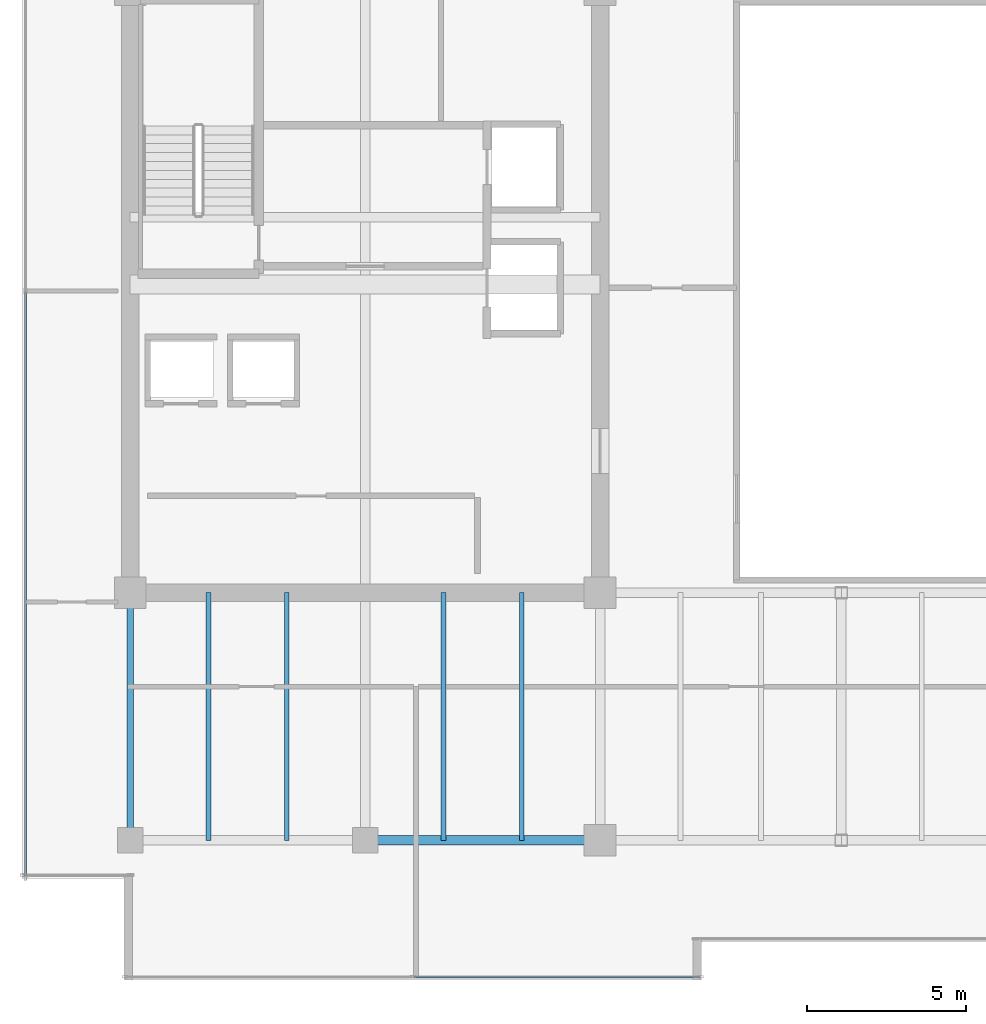
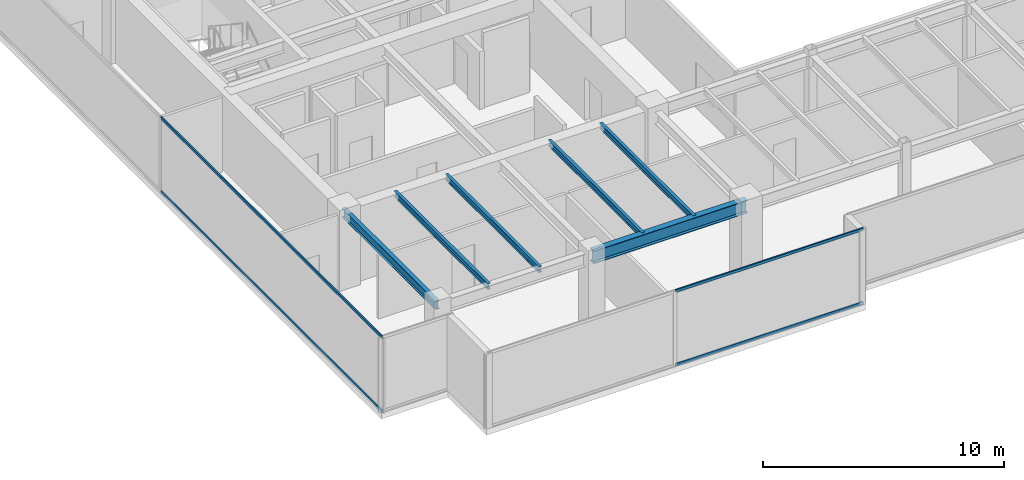
# One storey, part 6 of 33: 6 beams, 4 members, 2 elements without a shape of their own.
"""IFC4 building model written with IfcOpenShell, lengths in metres."""

from ifc_helpers import new_model, si_unit, direction, frame, origin, origin_2d, place, context, subcontext, project, spatial, hollow_rectangle, i_section, extrude, source, transform, mapped, material, layer, layer_set, material_profile, profile_set, type_object, type_shapes, element, aggregate, save


model = new_model("IFC4")

# Units and contexts
model_context = context("Model", 3, precision=1e-05, world=origin(), true_north=direction((0.0, 1.0)))
body_context = subcontext(model_context, "Body", "Model", "MODEL_VIEW")
ifc_project = project(units=[si_unit("LENGTHUNIT", "METRE"), si_unit("AREAUNIT", "SQUARE_METRE"), si_unit("VOLUMEUNIT", "CUBIC_METRE"), si_unit("PLANEANGLEUNIT", "RADIAN"), si_unit("MASSUNIT", "GRAM", prefix="KILO")], contexts=[model_context])

# Site, building, storey
site_placement = place(None, origin())
site = spatial("IfcSite", under=ifc_project, at=site_placement, CompositionType="ELEMENT")
building_placement = place(site_placement, origin())
building = spatial("IfcBuilding", under=site, at=building_placement, Name="Haelvirn Gate Laboratories", CompositionType="ELEMENT")
storey_placement = place(building_placement, frame((0.0, 0.0, 217.800048828125)))
storey = spatial("IfcBuildingStorey", under=building, at=storey_placement, Name="L52", CompositionType="ELEMENT", Elevation=217.800048828125)

# Beams
ifc_material_1 = material(Name="Steel SM355", Category="steel")
ifc_material_profile_1 = material_profile(ifc_material_1, i_section(OverallWidth=0.14990234375, OverallDepth=0.300048828125, WebThickness=0.006591796875, FlangeThickness=0.009033203125, at=origin_2d()), Name="H-300x150x6.5x9")
ifc_profile_set_1 = profile_set([ifc_material_profile_1], Name="Steel SM355")
beam_type_1 = type_object("IfcBeamType", Name="BM-J-300", PredefinedType="JOIST", material=ifc_profile_set_1)
shared_shape_1 = source(origin(), body_context, "Body", "SweptSolid", [
    extrude(i_section(OverallWidth=0.14990234375, OverallDepth=0.300048828125, WebThickness=0.006591796875, FlangeThickness=0.009033203125, at=origin_2d()), origin(), (0.0, 0.0, 1.0), 7.800048828125),
])
type_shapes(beam_type_1, [shared_shape_1])
for number, where, z_axis, x_axis, name in (
    (1, (9.8701171875, 7.0, 3.64990234375), (0.0, 1.0, 0.0), (-1.0, 0.0, 0.0), "L52 Composite Lab Joist South X9.87"),
    (2, (12.330078125, 7.0, 3.64990234375), (0.0, 1.0, 0.0), (-1.0, 0.0, 0.0), "L52 Composite Lab Joist South X12.33"),
    (3, (17.27001953125, 7.0, 3.64990234375), (0.0, 1.0, 0.0), (-1.0, 0.0, 0.0), "L52 Composite Lab Joist South X17.27"),
    (4, (19.72998046875, 7.0, 3.64990234375), (0.0, 1.0, 0.0), (-1.0, 0.0, 0.0), "L52 Composite Lab Joist South X19.73"),
):
    element("IfcBeam", number, at=place(storey_placement, frame(where, z_axis=z_axis, x_axis=x_axis)), inside=storey, type_object=beam_type_1, Name=name, PredefinedType="JOIST", context=body_context, shape_type="MappedRepresentation", body=[
        mapped(shared_shape_1, transform((0.0, 0.0, 0.0), scale=1.0)),
    ])
ifc_material_profile_2 = material_profile(ifc_material_1, i_section(OverallWidth=0.300048828125, OverallDepth=0.64990234375, WebThickness=0.012939453125, FlangeThickness=0.02197265625, at=origin_2d()), Name="H-650x300x13x22")
ifc_profile_set_2 = profile_set([ifc_material_profile_2], Name="Steel SM355")
beam_type_2 = type_object("IfcBeamType", Name="BM-G-650", PredefinedType="BEAM", material=ifc_profile_set_2)
shared_shape_2 = source(origin(), body_context, "Body", "SweptSolid", [
    extrude(i_section(OverallWidth=0.300048828125, OverallDepth=0.64990234375, WebThickness=0.012939453125, FlangeThickness=0.02197265625, at=origin_2d()), origin(), (0.0, 0.0, 1.0), 7.39990234375),
])
type_shapes(beam_type_2, [shared_shape_2])
beam_1_placement = place(storey_placement, frame((14.800048828125, 7.0, 3.474853515625), z_axis=(1.0, 0.0, 0.0), x_axis=(0.0, 1.0, 0.0)))
element("IfcBeam", 5, at=beam_1_placement, inside=storey, type_object=beam_type_2, Name="L52 Primary Girder Y7.0 (14.8-22.2)", PredefinedType="BEAM", context=body_context, shape_type="MappedRepresentation", body=[
    mapped(shared_shape_2, transform((0.0, 0.0, 0.0), scale=1.0)),
])
ifc_material_profile_3 = material_profile(ifc_material_1, i_section(OverallWidth=0.199951171875, OverallDepth=0.449951171875, WebThickness=0.009033203125, FlangeThickness=0.013916015625, at=origin_2d()), Name="H-450x200x9x14")
ifc_profile_set_3 = profile_set([ifc_material_profile_3], Name="Steel SM355")
beam_type_3 = type_object("IfcBeamType", Name="BM-SP-450", PredefinedType="SPANDREL", material=ifc_profile_set_3)
shared_shape_3 = source(origin(), body_context, "Body", "SweptSolid", [
    extrude(i_section(OverallWidth=0.199951171875, OverallDepth=0.449951171875, WebThickness=0.009033203125, FlangeThickness=0.013916015625, at=origin_2d()), origin(), (0.0, 0.0, 1.0), 7.800048828125),
])
type_shapes(beam_type_3, [shared_shape_3])
beam_2_placement = place(storey_placement, frame((7.39990234375, 7.0, 3.574951171875), z_axis=(0.0, 1.0, 0.0), x_axis=(-1.0, 0.0, 0.0)))
element("IfcBeam", 6, at=beam_2_placement, inside=storey, type_object=beam_type_3, Name="L52 Perimeter Spandrel X7.4 (7.0-14.8)", PredefinedType="SPANDREL", context=body_context, shape_type="MappedRepresentation", body=[
    mapped(shared_shape_3, transform((0.0, 0.0, 0.0), scale=1.0)),
])

# Curtain wall, members
ifc_material_2 = material(Name="Anodised bronze unitised aluminium & triple low-E glass", Category="aluminium")
ifc_layer = layer(ifc_material_2, 0.176025390625, Name="CW-SYS-4")
ifc_layer_set = layer_set([ifc_layer], Name="Anodised bronze unitised aluminium & triple low-E glass")
curtain_wall_type = type_object("IfcCurtainWallType", Name="CW-SYS-4", PredefinedType="NOTDEFINED", material=ifc_layer_set)
curtain_wall_1_placement = place(storey_placement, origin())
curtain_wall_1 = element("IfcCurtainWall", 7, at=curtain_wall_1_placement, inside=storey, type_object=curtain_wall_type, Name="L52 Unitised Curtain Wall CW-L52-P0-E00-1", PredefinedType="NOTDEFINED")
ifc_material_3 = material(Name="Extruded aluminium 6063-T6 (anodised bronze)", Category="aluminium")
ifc_material_profile_4 = material_profile(ifc_material_3, hollow_rectangle(XDim=0.06494140625, YDim=0.139892578125, WallThickness=0.00390625, at=origin_2d()), Name="CWT-140x65x4")
ifc_profile_set_4 = profile_set([ifc_material_profile_4], Name="Extruded aluminium 6063-T6 (anodised bronze)")
member_type = type_object("IfcMemberType", Name="CWT-T140", PredefinedType="USERDEFINED", material=ifc_profile_set_4)
shared_shape_4 = source(origin(), body_context, "Body", "SweptSolid", [
    extrude(hollow_rectangle(XDim=0.06494140625, YDim=0.139892578125, WallThickness=0.00390625, at=origin_2d()), origin(), (0.0, 0.0, 1.0), 8.9951171875),
])
member_1_placement = place(storey_placement, frame((16.3349609375, 2.699951171875, 0.032470703125), z_axis=(1.0, 0.0, 0.0), x_axis=(0.0, 1.0, 0.0)))
member_1 = element("IfcMember", 8, at=member_1_placement, type_object=member_type, Name="CW4 transom 2.1", ObjectType="TRANSOM", PredefinedType="USERDEFINED", context=body_context, shape_type="MappedRepresentation", body=[
    mapped(shared_shape_4, transform((0.0, 0.0, 0.0), scale=1.0)),
])
member_2_placement = place(storey_placement, frame((16.3349609375, 2.699951171875, 3.767333984375), z_axis=(1.0, 0.0, 0.0), x_axis=(0.0, 1.0, 0.0)))
member_2 = element("IfcMember", 9, at=member_2_placement, type_object=member_type, Name="CW4 transom 2.2", ObjectType="TRANSOM", PredefinedType="USERDEFINED", context=body_context, shape_type="MappedRepresentation", body=[
    mapped(shared_shape_4, transform((0.0, 0.0, 0.0), scale=1.0)),
])
aggregate(curtain_wall_1, [member_1, member_2])

curtain_wall_2_placement = place(storey_placement, origin())
curtain_wall_2 = element("IfcCurtainWall", 10, at=curtain_wall_2_placement, inside=storey, type_object=curtain_wall_type, Name="L52 Unitised Curtain Wall CW-L52-P0-E17", PredefinedType="NOTDEFINED")
shared_shape_5 = source(origin(), body_context, "Body", "SweptSolid", [
    extrude(hollow_rectangle(XDim=0.06494140625, YDim=0.139892578125, WallThickness=0.00390625, at=origin_2d()), origin(), (0.0, 0.0, 1.0), 18.394775390625),
])
type_shapes(member_type, [shared_shape_4, shared_shape_5])
member_3_placement = place(storey_placement, frame((4.10009765625, 24.264892578125, 0.032470703125), z_axis=(0.0, -1.0, 0.0), x_axis=(1.0, 0.0, 0.0)))
member_3 = element("IfcMember", 11, at=member_3_placement, type_object=member_type, Name="CW4 transom 2.1", ObjectType="TRANSOM", PredefinedType="USERDEFINED", context=body_context, shape_type="MappedRepresentation", body=[
    mapped(shared_shape_5, transform((0.0, 0.0, 0.0), scale=1.0)),
])
member_4_placement = place(storey_placement, frame((4.10009765625, 24.264892578125, 3.767333984375), z_axis=(0.0, -1.0, 0.0), x_axis=(1.0, 0.0, 0.0)))
member_4 = element("IfcMember", 12, at=member_4_placement, type_object=member_type, Name="CW4 transom 2.2", ObjectType="TRANSOM", PredefinedType="USERDEFINED", context=body_context, shape_type="MappedRepresentation", body=[
    mapped(shared_shape_5, transform((0.0, 0.0, 0.0), scale=1.0)),
])
aggregate(curtain_wall_2, [member_3, member_4])

save(model, "model.ifc")
